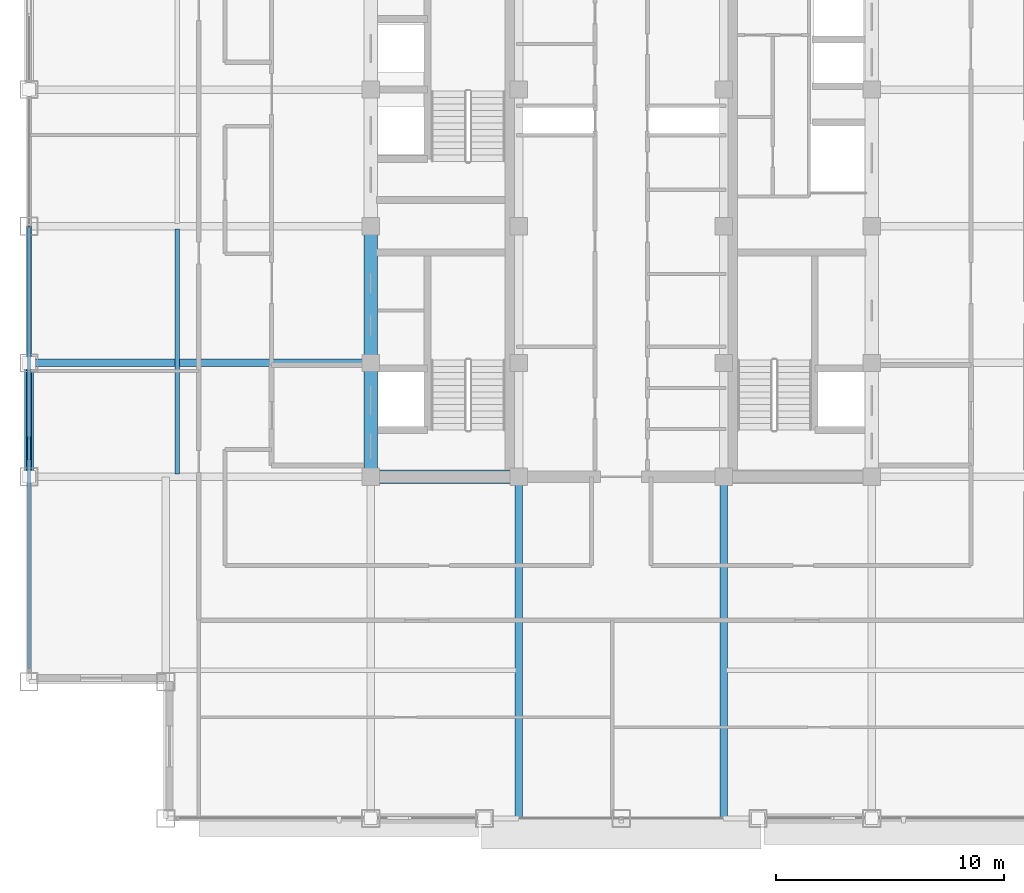
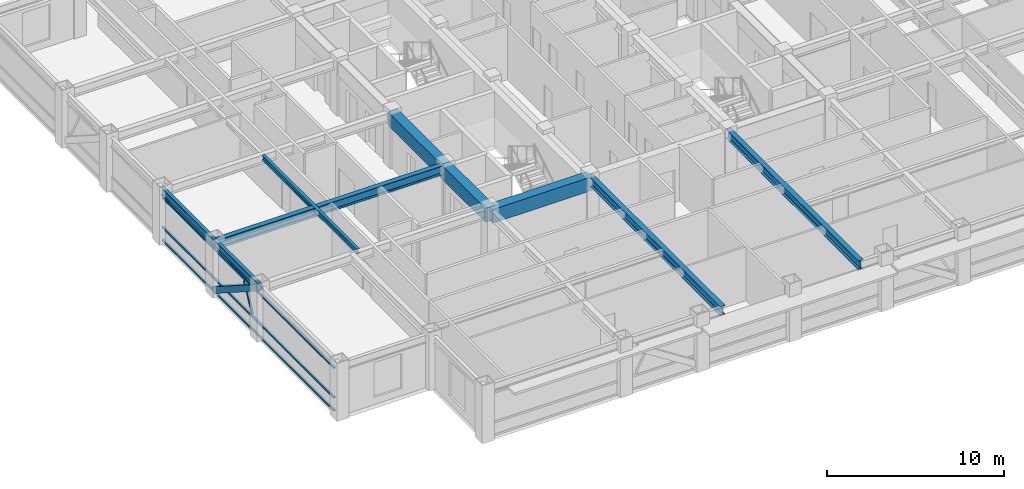
# One storey, part 5 of 32: 9 beams, 5 members, 1 element without a shape of its own.
"""IFC4 building model written with IfcOpenShell, lengths in metres."""

import ifcopenshell
import ifcopenshell.guid

model = None  # the IFC model being written
_history = None  # IfcOwnerHistory: only IFC2X3 demands one
_inside = {}  # id of a spatial element -> (the spatial element, [elements in it])
_under = {}  # id of a project, library or spatial element -> (it, [spatial elements below it])
_declared = {}  # id of a project -> (the project, [libraries it declares])
_typed = {}  # id of a type object -> (the type object, [elements of that type])
_made_of = {}  # id of a material, layer set ... -> (it, [elements and type objects made of it])


def new_model(schema):
    """Start an empty IFC model of exactly this schema.

    Asked for "IFC4X3", IfcOpenShell would pick the latest addendum, in which some entities
    have other attributes; the version numbers below select the first issue.
    IFC2X3 requires an IfcOwnerHistory on every rooted entity: one is made here for all.
    """
    global model, _history
    if schema == "IFC4X3":
        model = ifcopenshell.file(schema_version=(4, 3, 0, 0))
    else:
        model = ifcopenshell.file(schema=schema)
    _inside.clear()
    _under.clear()
    _declared.clear()
    _typed.clear()
    _made_of.clear()
    _history = None
    if model.schema == "IFC2X3":
        org = make("IfcOrganization", Name="unknown")
        user = make(
            "IfcPersonAndOrganization",
            ThePerson=make("IfcPerson", FamilyName="unknown"),
            TheOrganization=org,
        )
        app = make(
            "IfcApplication",
            ApplicationDeveloper=org,
            Version="unknown",
            ApplicationFullName="unknown",
            ApplicationIdentifier="unknown",
        )
        _history = make(
            "IfcOwnerHistory",
            OwningUser=user,
            OwningApplication=app,
            ChangeAction="ADDED",
            CreationDate=0,
        )
    return model


def make(cls, **values):
    """One entity of the class cls with the attributes given. An attribute that is None is left unset."""
    return model.create_entity(
        cls, **{name: value for name, value in values.items() if value is not None}
    )


def rooted(cls, **values):
    """An entity with a GlobalId (a new one), such as an element, a storey or a relation."""
    return make(cls, GlobalId=ifcopenshell.guid.new(), OwnerHistory=_history, **values)


def si_unit(unit_type, name, prefix=None):
    """IfcSIUnit, for example si_unit("LENGTHUNIT", "METRE", prefix="MILLI")."""
    return make("IfcSIUnit", UnitType=unit_type, Prefix=prefix, Name=name)


def assignment(units):
    """IfcUnitAssignment: the units of a project."""
    return None if units is None else make("IfcUnitAssignment", Units=units)


def point(xyz):
    """IfcCartesianPoint."""
    return None if xyz is None else make("IfcCartesianPoint", Coordinates=xyz)


def direction(xyz):
    """IfcDirection."""
    return None if xyz is None else make("IfcDirection", DirectionRatios=xyz)


def frame(location, z_axis=None, x_axis=None):
    """IfcAxis2Placement3D, a coordinate frame: its origin and axes. An axis left out is left unset."""
    return make(
        "IfcAxis2Placement3D",
        Location=point(location),
        Axis=direction(z_axis),
        RefDirection=direction(x_axis),
    )


def frame_2d(location, x_axis=None):
    """IfcAxis2Placement2D, a coordinate frame in the plane: its origin and x axis."""
    return make(
        "IfcAxis2Placement2D", Location=point(location), RefDirection=direction(x_axis)
    )


def origin():
    """The frame at (0, 0, 0) with its axes left unset."""
    return frame((0.0, 0.0, 0.0))


def origin_2d():
    """The frame at (0, 0) in the plane with its x axis left unset."""
    return frame_2d((0.0, 0.0))


def place(relative_to, where):
    """IfcLocalPlacement: puts the frame where relative to a parent placement (None: the world)."""
    return make(
        "IfcLocalPlacement", PlacementRelTo=relative_to, RelativePlacement=where
    )


def context(
    kind, dimensions, precision=None, world=None, true_north=None, identifier=None
):
    """IfcGeometricRepresentationContext, for example the 3D "Model" context."""
    return make(
        "IfcGeometricRepresentationContext",
        ContextIdentifier=identifier,
        ContextType=kind,
        CoordinateSpaceDimension=dimensions,
        Precision=precision,
        WorldCoordinateSystem=world,
        TrueNorth=true_north,
    )


def subcontext(parent, identifier, kind, view, scale=None):
    """IfcGeometricRepresentationSubContext, for example "Body" below "Model"."""
    return make(
        "IfcGeometricRepresentationSubContext",
        ContextIdentifier=identifier,
        ContextType=kind,
        ParentContext=parent,
        TargetScale=scale,
        TargetView=view,
    )


def project(units=None, contexts=None):
    """IfcProject with its units and contexts."""
    return rooted(
        "IfcProject",
        Name="project",
        RepresentationContexts=contexts,
        UnitsInContext=assignment(units),
    )


def spatial(cls, under=None, at=None, **own):
    """A site, building, storey or space (cls), placed at a placement, below another one or the project."""
    s = rooted(cls, ObjectPlacement=at, **own)
    if under is not None:
        _under.setdefault(under.id(), (under, []))[1].append(s)
    return s


def profile(cls, at=None, kind="AREA", **sizes):
    """A parametric profile (cls). Its sizes go by their IFC names, for example OverallWidth=200.0."""
    return make(cls, ProfileType=kind, Position=at, **sizes)


def rectangle(**sizes):
    """IfcRectangleProfileDef."""
    return profile("IfcRectangleProfileDef", **sizes)


def hollow_rectangle(**sizes):
    """IfcRectangleHollowProfileDef."""
    return profile("IfcRectangleHollowProfileDef", **sizes)


def i_section(**sizes):
    """IfcIShapeProfileDef."""
    return profile("IfcIShapeProfileDef", **sizes)


def extrude(swept, where, along, depth):
    """IfcExtrudedAreaSolid: the profile swept, set in the frame where, extruded along a direction by depth."""
    return make(
        "IfcExtrudedAreaSolid",
        SweptArea=swept,
        Position=where,
        ExtrudedDirection=direction(along),
        Depth=depth,
    )


def shape(context_of_items, identifier, shape_type, items):
    """IfcShapeRepresentation: the items that make up one representation, for example the "Body"."""
    return make(
        "IfcShapeRepresentation",
        ContextOfItems=context_of_items,
        RepresentationIdentifier=identifier,
        RepresentationType=shape_type,
        Items=items,
    )


def source(mapping_origin, context_of_items, identifier, shape_type, items):
    """IfcRepresentationMap: a shape defined once, which mapped items show again and again."""
    return make(
        "IfcRepresentationMap",
        MappingOrigin=mapping_origin,
        MappedRepresentation=shape(context_of_items, identifier, shape_type, items),
    )


def transform(
    local_origin,
    x_axis=None,
    y_axis=None,
    z_axis=None,
    scale=None,
    scale2=None,
    scale3=None,
    uniform=True,
):
    """IfcCartesianTransformationOperator3D, or its non-uniform kind. x_axis, y_axis, z_axis: its Axis1, 2, 3."""
    if uniform:
        return make(
            "IfcCartesianTransformationOperator3D",
            Axis1=direction(x_axis),
            Axis2=direction(y_axis),
            LocalOrigin=point(local_origin),
            Scale=scale,
            Axis3=direction(z_axis),
        )
    return make(
        "IfcCartesianTransformationOperator3DnonUniform",
        Axis1=direction(x_axis),
        Axis2=direction(y_axis),
        LocalOrigin=point(local_origin),
        Scale=scale,
        Axis3=direction(z_axis),
        Scale2=scale2,
        Scale3=scale3,
    )


def mapped(mapping_source, mapping_target):
    """IfcMappedItem: shows the shape of a source again, moved by a transform."""
    return make(
        "IfcMappedItem", MappingSource=mapping_source, MappingTarget=mapping_target
    )


def material(Name=None, Category=None):
    """IfcMaterial."""
    return make("IfcMaterial", Name=Name, Category=Category)


def material_profile(
    of_material, cross_section, Name=None, Category=None, Priority=None
):
    """IfcMaterialProfile: a cross section and its material."""
    return make(
        "IfcMaterialProfile",
        Name=Name,
        Material=of_material,
        Profile=cross_section,
        Priority=Priority,
        Category=Category,
    )


def profile_set(profiles, Name=None, composite=None):
    """IfcMaterialProfileSet."""
    return make(
        "IfcMaterialProfileSet",
        Name=Name,
        MaterialProfiles=profiles,
        CompositeProfile=composite,
    )


def made_of(thing, what):
    """Note that an element or type object is made of a material, layer set ...; save() writes the relation."""
    if what is not None:
        _made_of.setdefault(what.id(), (what, []))[1].append(thing)
    return thing


def type_object(cls, material=None, **own):
    """A type object (cls), such as IfcWallType, which elements share."""
    return made_of(rooted(cls, **own), material)


def element(
    cls,
    number,
    at=None,
    inside=None,
    cuts=None,
    type_object=None,
    material=None,
    context=None,
    identifier="Body",
    shape_type=None,
    held_by="IfcProductDefinitionShape",
    body=None,
    shapes=None,
    **own,
):
    """One element of the class cls, such as IfcWall. Its Tag is "e" and its number.

    at: its placement. inside: the storey or other place that contains it. cuts: it is an
    opening in that element (IfcRelVoidsElement). A single representation is given by context,
    identifier, shape_type and body (its items); several are given by shapes. held_by: the class
    of the entity that holds the representations. save() writes the other relations.
    """
    e = rooted(cls, Tag="e%d" % number, ObjectPlacement=at, **own)
    if body is not None:
        shapes = [shape(context, identifier, shape_type, body)]
    if shapes is not None:
        e.Representation = make(held_by, Representations=shapes)
    if inside is not None:
        _inside.setdefault(inside.id(), (inside, []))[1].append(e)
    if cuts is not None:
        rooted(
            "IfcRelVoidsElement", RelatingBuildingElement=cuts, RelatedOpeningElement=e
        )
    if type_object is not None:
        _typed.setdefault(type_object.id(), (type_object, []))[1].append(e)
    return made_of(e, material)


def aggregate(whole, parts):
    """IfcRelAggregates: a whole, such as a stair, and the parts it consists of."""
    return rooted("IfcRelAggregates", RelatingObject=whole, RelatedObjects=parts)


def save(model, path):
    """Write the relations noted so far, then the file.

    IfcRelAggregates (storeys below a building ...), IfcRelContainedInSpatialStructure (elements
    in a storey), IfcRelDefinesByType, IfcRelAssociatesMaterial and IfcRelDeclares: one each for
    every whole, place, type object, material and project.
    """
    for whole, parts in _under.values():
        aggregate(whole, parts)
    for where, things in _inside.values():
        rooted(
            "IfcRelContainedInSpatialStructure",
            RelatedElements=things,
            RelatingStructure=where,
        )
    for kind, things in _typed.values():
        rooted("IfcRelDefinesByType", RelatedObjects=things, RelatingType=kind)
    for what, things in _made_of.values():
        rooted("IfcRelAssociatesMaterial", RelatedObjects=things, RelatingMaterial=what)
    for by, libraries in _declared.values():
        rooted("IfcRelDeclares", RelatingContext=by, RelatedDefinitions=libraries)
    model.write(path)


model = new_model("IFC4")

# Units and contexts
model_context = context("Model", 3, precision=1e-05, world=origin(), true_north=direction((0.0, 1.0)))
body_context = subcontext(model_context, "Body", "Model", "MODEL_VIEW")
ifc_project = project(units=[si_unit("LENGTHUNIT", "METRE"), si_unit("AREAUNIT", "SQUARE_METRE"), si_unit("VOLUMEUNIT", "CUBIC_METRE"), si_unit("PLANEANGLEUNIT", "RADIAN"), si_unit("MASSUNIT", "GRAM", prefix="KILO")], contexts=[model_context])

# Site, building, storey
site_placement = place(None, origin())
site = spatial("IfcSite", under=ifc_project, at=site_placement, CompositionType="ELEMENT")
building_placement = place(site_placement, origin())
building = spatial("IfcBuilding", under=site, at=building_placement, Name="Khorayat Bourse Tower", CompositionType="ELEMENT")
storey_placement = place(building_placement, frame((0.0, 0.0, 342.300048828125)))
storey = spatial("IfcBuildingStorey", under=building, at=storey_placement, Name="L81", CompositionType="ELEMENT", Elevation=342.300048828125)

# Beams
ifc_material_1 = material(Name="Concrete C60/75", Category="concrete")
ifc_material_profile_1 = material_profile(ifc_material_1, rectangle(XDim=0.60009765625, YDim=0.949951171875, at=origin_2d()), Name="RC 600x950")
ifc_profile_set_1 = profile_set([ifc_material_profile_1], Name="Concrete C60/75")
beam_type_1 = type_object("IfcBeamType", Name="BM-COUP-950", PredefinedType="BEAM", material=ifc_profile_set_1)
shared_shape_1 = source(origin(), body_context, "Body", "SweptSolid", [
    extrude(rectangle(XDim=0.60009765625, YDim=0.949951171875, at=origin_2d()), origin(), (0.0, 0.0, 1.0), 5.0),
])
beam_1_placement = place(storey_placement, frame((-11.0, -11.0, 3.224853515625), z_axis=(0.0, 1.0, 0.0), x_axis=(-1.0, 0.0, 0.0)))
element("IfcBeam", 1, at=beam_1_placement, inside=storey, type_object=beam_type_1, Name="L81 BM-COUP-950 BM-L81-CRX-01", PredefinedType="BEAM", context=body_context, shape_type="MappedRepresentation", body=[
    mapped(shared_shape_1, transform((0.0, 0.0, 0.0), scale=1.0)),
])
shared_shape_2 = source(origin(), body_context, "Body", "SweptSolid", [
    extrude(rectangle(XDim=0.60009765625, YDim=0.949951171875, at=origin_2d()), origin(), (0.0, 0.0, 1.0), 6.0),
])
beam_2_placement = place(storey_placement, frame((-11.0, -6.0, 3.224853515625), z_axis=(0.0, 1.0, 0.0), x_axis=(-1.0, 0.0, 0.0)))
element("IfcBeam", 2, at=beam_2_placement, inside=storey, type_object=beam_type_1, Name="L81 BM-COUP-950 BM-L81-CRX-02", PredefinedType="BEAM", context=body_context, shape_type="MappedRepresentation", body=[
    mapped(shared_shape_2, transform((0.0, 0.0, 0.0), scale=1.0)),
])
shared_shape_3 = source(origin(), body_context, "Body", "SweptSolid", [
    extrude(rectangle(XDim=0.60009765625, YDim=0.949951171875, at=origin_2d()), origin(), (0.0, 0.0, 1.0), 6.5),
])
beam_3_placement = place(storey_placement, frame((-11.0, -11.0, 3.224853515625), z_axis=(1.0, 0.0, 0.0), x_axis=(0.0, 1.0, 0.0)))
element("IfcBeam", 3, at=beam_3_placement, inside=storey, type_object=beam_type_1, Name="L81 BM-COUP-950 BM-L81-CRY-17", PredefinedType="BEAM", context=body_context, shape_type="MappedRepresentation", body=[
    mapped(shared_shape_3, transform((0.0, 0.0, 0.0), scale=1.0)),
])
ifc_material_2 = material(Name="Steel ASTM A992 Grade 50", Category="steel")
ifc_material_profile_2 = material_profile(ifc_material_2, i_section(OverallWidth=0.202880859375, OverallDepth=0.346923828125, WebThickness=0.0078125, FlangeThickness=0.013427734375, FilletRadius=0.010009765625, at=origin_2d()), Name="W360X64")
ifc_profile_set_2 = profile_set([ifc_material_profile_2], Name="Steel ASTM A992 Grade 50")
beam_type_2 = type_object("IfcBeamType", Name="BM-JOIST-360", PredefinedType="JOIST", material=ifc_profile_set_2)
shared_shape_4 = source(origin(), body_context, "Body", "SweptSolid", [
    extrude(i_section(OverallWidth=0.202880859375, OverallDepth=0.346923828125, WebThickness=0.0078125, FlangeThickness=0.013427734375, FilletRadius=0.010009765625, at=origin_2d()), origin(), (0.0, 0.0, 1.0), 10.740234375),
])
beam_4_placement = place(storey_placement, frame((-19.5, -10.8701171875, 3.5263671875), z_axis=(0.0, 1.0, 0.0), x_axis=(-1.0, 0.0, 0.0)))
element("IfcBeam", 4, at=beam_4_placement, inside=storey, type_object=beam_type_2, Name="L81 BM-JOIST-360 BM-L81-JSTY-079", PredefinedType="JOIST", context=body_context, shape_type="MappedRepresentation", body=[
    mapped(shared_shape_4, transform((0.0, 0.0, 0.0), scale=1.0)),
])
ifc_material_profile_3 = material_profile(ifc_material_2, i_section(OverallWidth=0.214111328125, OverallDepth=0.549072265625, WebThickness=0.0146484375, FlangeThickness=0.023681640625, FilletRadius=0.013916015625, at=origin_2d()), Name="W530X138")
ifc_profile_set_3 = profile_set([ifc_material_profile_3], Name="Steel ASTM A992 Grade 50")
beam_type_3 = type_object("IfcBeamType", Name="BM-SPAN-530", PredefinedType="SPANDREL", material=ifc_profile_set_3)
shared_shape_5 = source(origin(), body_context, "Body", "SweptSolid", [
    extrude(i_section(OverallWidth=0.214111328125, OverallDepth=0.549072265625, WebThickness=0.0146484375, FlangeThickness=0.023681640625, FilletRadius=0.013916015625, at=origin_2d()), origin(), (0.0, 0.0, 1.0), 5.0),
])
beam_5_placement = place(storey_placement, frame((-26.0, -11.0, 3.425537109375), z_axis=(0.0, 1.0, 0.0), x_axis=(-1.0, 0.0, 0.0)))
element("IfcBeam", 5, at=beam_5_placement, inside=storey, type_object=beam_type_3, Name="L81 BM-SPAN-530 BM-L81-SPN-049", PredefinedType="SPANDREL", context=body_context, shape_type="MappedRepresentation", body=[
    mapped(shared_shape_5, transform((0.0, 0.0, 0.0), scale=1.0)),
])
shared_shape_6 = source(origin(), body_context, "Body", "SweptSolid", [
    extrude(i_section(OverallWidth=0.214111328125, OverallDepth=0.549072265625, WebThickness=0.0146484375, FlangeThickness=0.023681640625, FilletRadius=0.013916015625, at=origin_2d()), origin(), (0.0, 0.0, 1.0), 6.0),
])
beam_6_placement = place(storey_placement, frame((-26.0, -6.0, 3.425537109375), z_axis=(0.0, 1.0, 0.0), x_axis=(-1.0, 0.0, 0.0)))
element("IfcBeam", 6, at=beam_6_placement, inside=storey, type_object=beam_type_3, Name="L81 BM-SPAN-530 BM-L81-SPN-048", PredefinedType="SPANDREL", context=body_context, shape_type="MappedRepresentation", body=[
    mapped(shared_shape_6, transform((0.0, 0.0, 0.0), scale=1.0)),
])
ifc_material_profile_4 = material_profile(ifc_material_2, i_section(OverallWidth=0.324951171875, OverallDepth=0.615966796875, WebThickness=0.013916015625, FlangeThickness=0.021484375, FilletRadius=0.01611328125, at=origin_2d()), Name="W610X174")
ifc_profile_set_4 = profile_set([ifc_material_profile_4], Name="Steel ASTM A992 Grade 50")
beam_type_4 = type_object("IfcBeamType", Name="BM-GIRD-610", PredefinedType="BEAM", material=ifc_profile_set_4)
shared_shape_7 = source(origin(), body_context, "Body", "SweptSolid", [
    extrude(i_section(OverallWidth=0.324951171875, OverallDepth=0.615966796875, WebThickness=0.013916015625, FlangeThickness=0.021484375, FilletRadius=0.01611328125, at=origin_2d()), origin(), (0.0, 0.0, 1.0), 15.0),
])
for number, where, z_axis, x_axis, name in (
    (7, (-4.5, -26.0, 3.391845703125), (0.0, 1.0, 0.0), (-1.0, 0.0, 0.0), "L81 BM-GIRD-610 BM-L81-RADY-056"),
    (8, (4.5, -26.0, 3.391845703125), (0.0, 1.0, 0.0), (-1.0, 0.0, 0.0), "L81 BM-GIRD-610 BM-L81-RADY-058"),
    (9, (-26.0, -6.0, 3.391845703125), (1.0, 0.0, 0.0), (0.0, 1.0, 0.0), "L81 BM-GIRD-610 BM-L81-RADX-064"),
):
    element("IfcBeam", number, at=place(storey_placement, frame(where, z_axis=z_axis, x_axis=x_axis)), inside=storey, type_object=beam_type_4, Name=name, PredefinedType="BEAM", context=body_context, shape_type="MappedRepresentation", body=[
        mapped(shared_shape_7, transform((0.0, 0.0, 0.0), scale=1.0)),
    ])

# Member
ifc_material_3 = material(Name="Steel EN 10025-4 S460M", Category="steel")
ifc_material_profile_5 = material_profile(ifc_material_3, hollow_rectangle(XDim=0.39990234375, YDim=0.39990234375, WallThickness=0.02197265625, at=origin_2d()), Name="HSS 400x400x22")
ifc_profile_set_5 = profile_set([ifc_material_profile_5], Name="Steel EN 10025-4 S460M")
member_type_1 = type_object("IfcMemberType", Name="MBR-TUBE-400", PredefinedType="BRACE", material=ifc_profile_set_5)
shared_shape_8 = source(origin(), body_context, "Body", "SweptSolid", [
    extrude(hollow_rectangle(XDim=0.39990234375, YDim=0.39990234375, WallThickness=0.02197265625, at=origin_2d()), origin(), (0.0, 0.0, 1.0), 5.936279296875),
])
member_1_placement = place(storey_placement, frame((-26.0, -11.0, 3.449951171875), z_axis=(0.0, 0.84227513519, -0.539047861178), x_axis=(-1.0, 0.0, 0.0)))
element("IfcMember", 10, at=member_1_placement, inside=storey, type_object=member_type_1, Name="L81 Perimeter Tube Brace 05", PredefinedType="BRACE", context=body_context, shape_type="MappedRepresentation", body=[
    mapped(shared_shape_8, transform((0.0, 0.0, 0.0), scale=1.0)),
])

# Curtain wall, members
ifc_material_4 = material(Name="Aluminium EN AW-6063 T6", Category="aluminium")
curtain_wall_type = type_object("IfcCurtainWallType", Name="CW-SYS-04", PredefinedType="NOTDEFINED", material=ifc_material_4)
curtain_wall_placement = place(storey_placement, origin())
curtain_wall = element("IfcCurtainWall", 11, at=curtain_wall_placement, inside=storey, type_object=curtain_wall_type, Name="L81 Curtain Wall CW-L81-W1", PredefinedType="NOTDEFINED")
ifc_material_profile_6 = material_profile(ifc_material_4, hollow_rectangle(XDim=0.1201171875, YDim=0.1201171875, WallThickness=0.0048828125, at=origin_2d()), Name="ALU 120x120x5")
ifc_profile_set_6 = profile_set([ifc_material_profile_6], Name="Aluminium EN AW-6063 T6")
member_type_2 = type_object("IfcMemberType", Name="CWT-HORZ-120", PredefinedType="USERDEFINED", material=ifc_profile_set_6)
shared_shape_9 = source(origin(), body_context, "Body", "SweptSolid", [
    extrude(hollow_rectangle(XDim=0.1201171875, YDim=0.1201171875, WallThickness=0.0048828125, at=origin_2d()), origin(), (0.0, 0.0, 1.0), 19.369873046875),
])
member_2_placement = place(storey_placement, frame((-26.0, -19.429931640625, 0.06005859375), z_axis=(0.0, 1.0, 0.0), x_axis=(-1.0, 0.0, 0.0)))
member_2 = element("IfcMember", 12, at=member_2_placement, type_object=member_type_2, Name="CW-L81-W1 Horizontal Transom 1-1", ObjectType="TRANSOM", PredefinedType="USERDEFINED", context=body_context, shape_type="MappedRepresentation", body=[
    mapped(shared_shape_9, transform((0.0, 0.0, 0.0), scale=1.0)),
])
member_3_placement = place(storey_placement, frame((-26.0, -19.429931640625, 0.949951171875), z_axis=(0.0, 1.0, 0.0), x_axis=(-1.0, 0.0, 0.0)))
member_3 = element("IfcMember", 13, at=member_3_placement, type_object=member_type_2, Name="CW-L81-W1 Horizontal Transom 1-2", ObjectType="TRANSOM", PredefinedType="USERDEFINED", context=body_context, shape_type="MappedRepresentation", body=[
    mapped(shared_shape_9, transform((0.0, 0.0, 0.0), scale=1.0)),
])
member_4_placement = place(storey_placement, frame((-26.0, -19.429931640625, 2.989990234375), z_axis=(0.0, 1.0, 0.0), x_axis=(-1.0, 0.0, 0.0)))
member_4 = element("IfcMember", 14, at=member_4_placement, type_object=member_type_2, Name="CW-L81-W1 Horizontal Transom 1-3", ObjectType="TRANSOM", PredefinedType="USERDEFINED", context=body_context, shape_type="MappedRepresentation", body=[
    mapped(shared_shape_9, transform((0.0, 0.0, 0.0), scale=1.0)),
])
ifc_material_profile_7 = material_profile(ifc_material_4, hollow_rectangle(XDim=0.1201171875, YDim=0.1201171875, WallThickness=0.0048828125, at=origin_2d()), Name="ALU 120x120x5")
ifc_profile_set_7 = profile_set([ifc_material_profile_7], Name="Aluminium EN AW-6063 T6")
member_type_3 = type_object("IfcMemberType", Name="CWM-DIAG-120", PredefinedType="MULLION", material=ifc_profile_set_7)
shared_shape_10 = source(origin(), body_context, "Body", "SweptSolid", [
    extrude(hollow_rectangle(XDim=0.1201171875, YDim=0.1201171875, WallThickness=0.0048828125, at=origin_2d()), origin(), (0.0, 0.0, 1.0), 1.989013671875),
])
member_5_placement = place(storey_placement, frame((-26.0, -10.208251953125, 1.08984375), z_axis=(0.0, 0.46582231551, 0.884878279976), x_axis=(-1.0, 0.0, 0.0)))
member_5 = element("IfcMember", 15, at=member_5_placement, type_object=member_type_3, Name="CW-L81-W1 Faceted Diagonal Mullion 1", PredefinedType="MULLION", context=body_context, shape_type="MappedRepresentation", body=[
    mapped(shared_shape_10, transform((0.0, 0.0, 0.0), scale=1.0)),
])
aggregate(curtain_wall, [member_2, member_3, member_4, member_5])

save(model, "model.ifc")
